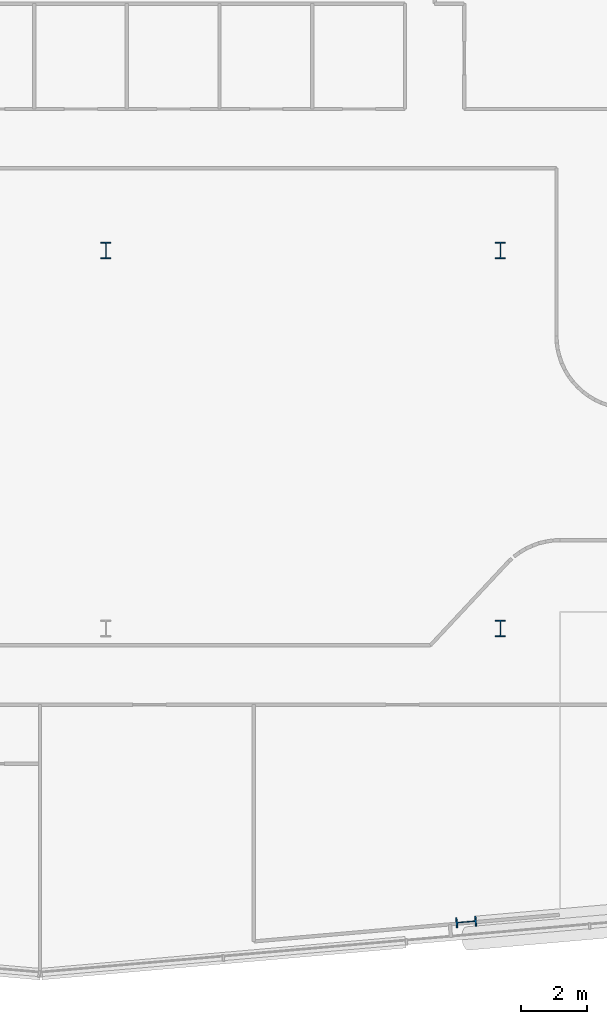
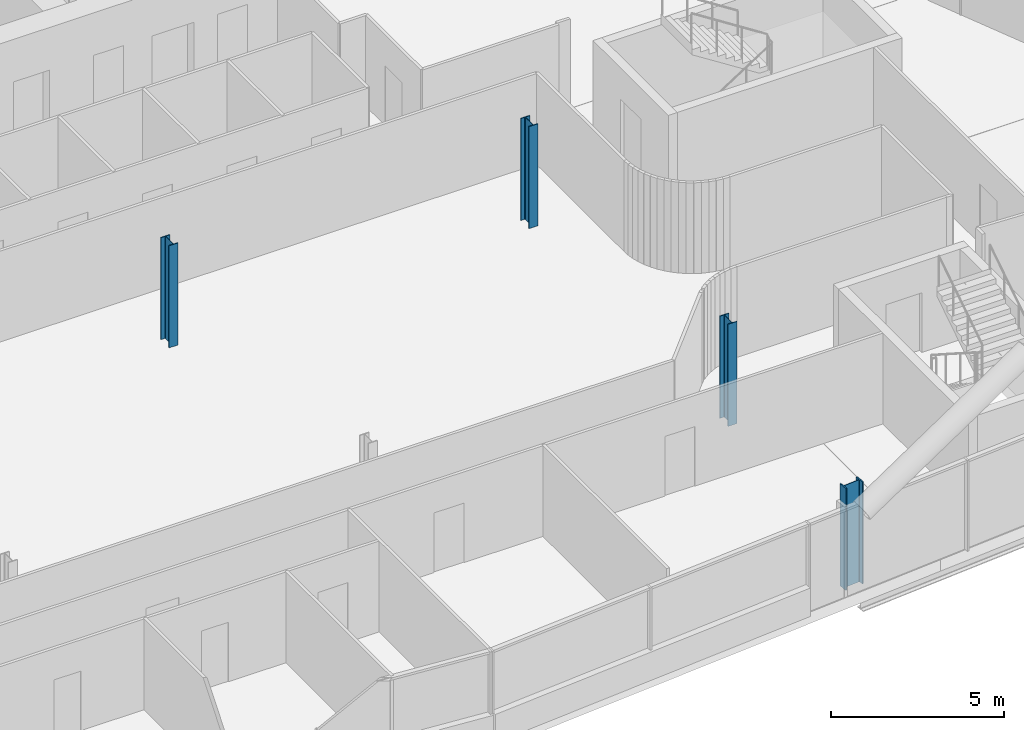
# One storey, part 2 of 29: 4 columns.
"""IFC4 building model written with IfcOpenShell, lengths in metres."""

from ifc_helpers import new_model, si_unit, direction, frame, origin, origin_2d, place, context, subcontext, project, spatial, i_section, extrude, material, material_profile, profile_set, type_object, element, save


model = new_model("IFC4")

# Units and contexts
model_context = context("Model", 3, precision=1e-05, world=origin(), true_north=direction((0.0, 1.0)))
body_context = subcontext(model_context, "Body", "Model", "MODEL_VIEW")
ifc_project = project(units=[si_unit("LENGTHUNIT", "METRE"), si_unit("AREAUNIT", "SQUARE_METRE"), si_unit("VOLUMEUNIT", "CUBIC_METRE"), si_unit("PLANEANGLEUNIT", "RADIAN"), si_unit("MASSUNIT", "GRAM", prefix="KILO")], contexts=[model_context])

# Site, building, storey
site_placement = place(None, origin())
site = spatial("IfcSite", under=ifc_project, at=site_placement, CompositionType="ELEMENT")
building_placement = place(site_placement, origin())
building = spatial("IfcBuilding", under=site, at=building_placement, Name="Wharfspan Tower", CompositionType="ELEMENT")
storey_placement = place(building_placement, frame((0.0, 0.0, 155.5)))
storey = spatial("IfcBuildingStorey", under=building, at=storey_placement, Name="L37", CompositionType="ELEMENT", Elevation=155.5)

# Columns
ifc_material = material(Name="Steel S355J2", Category="steel")
ifc_material_profile_1 = material_profile(ifc_material, i_section(OverallWidth=0.300049, OverallDepth=0.5, WebThickness=0.014404, FlangeThickness=0.028076, FilletRadius=0.0271, at=origin_2d()))
ifc_profile_set_1 = profile_set([ifc_material_profile_1], Name="Steel S355J2")
column_type_1 = type_object("IfcColumnType", Name="Column HEB 500", PredefinedType="COLUMN", material=ifc_profile_set_1)
for number, where, z_axis, x_axis, name in (
    (1, (60.0, 11.5, 0.0), (0.0, 0.0, 1.0), (1.0, 0.0, 0.0), "Interior column I.1.4 L37"),
    (2, (48.0, 23.0, 0.0), (0.0, 0.0, 1.0), (1.0, 0.0, 0.0), "Interior column I.2.3 L37"),
    (3, (60.0, 23.0, 0.0), (0.0, 0.0, 1.0), (1.0, 0.0, 0.0), "Interior column I.2.4 L37"),
):
    element("IfcColumn", number, at=place(storey_placement, frame(where, z_axis=z_axis, x_axis=x_axis)), inside=storey, type_object=column_type_1, Name=name, PredefinedType="COLUMN", context=body_context, shape_type="SweptSolid", body=[
        extrude(i_section(OverallWidth=0.300049, OverallDepth=0.5, WebThickness=0.014404, FlangeThickness=0.028076, FilletRadius=0.0271, at=origin_2d()), origin(), (0.0, 0.0, 1.0), 3.600098),
    ])
ifc_material_profile_2 = material_profile(ifc_material, i_section(OverallWidth=0.304932, OverallDepth=0.620117, WebThickness=0.020996, FlangeThickness=0.040039, FilletRadius=0.0271, at=origin_2d()))
ifc_profile_set_2 = profile_set([ifc_material_profile_2], Name="Steel S355J2")
column_type_2 = type_object("IfcColumnType", Name="Column HEM 600", PredefinedType="COLUMN", material=ifc_profile_set_2)
column_placement = place(storey_placement, frame((58.960693, 2.573486, 0.0), z_axis=(0.0, 0.0, 1.0), x_axis=(0.087156, -0.996198, 0.0)))
element("IfcColumn", 4, at=column_placement, inside=storey, type_object=column_type_2, Name="Perimeter column PS2.1 L37", PredefinedType="COLUMN", context=body_context, shape_type="SweptSolid", body=[
    extrude(i_section(OverallWidth=0.304932, OverallDepth=0.620117, WebThickness=0.020996, FlangeThickness=0.040039, FilletRadius=0.0271, at=origin_2d()), origin(), (0.0, 0.0, 1.0), 3.600098),
])

save(model, "model.ifc")
